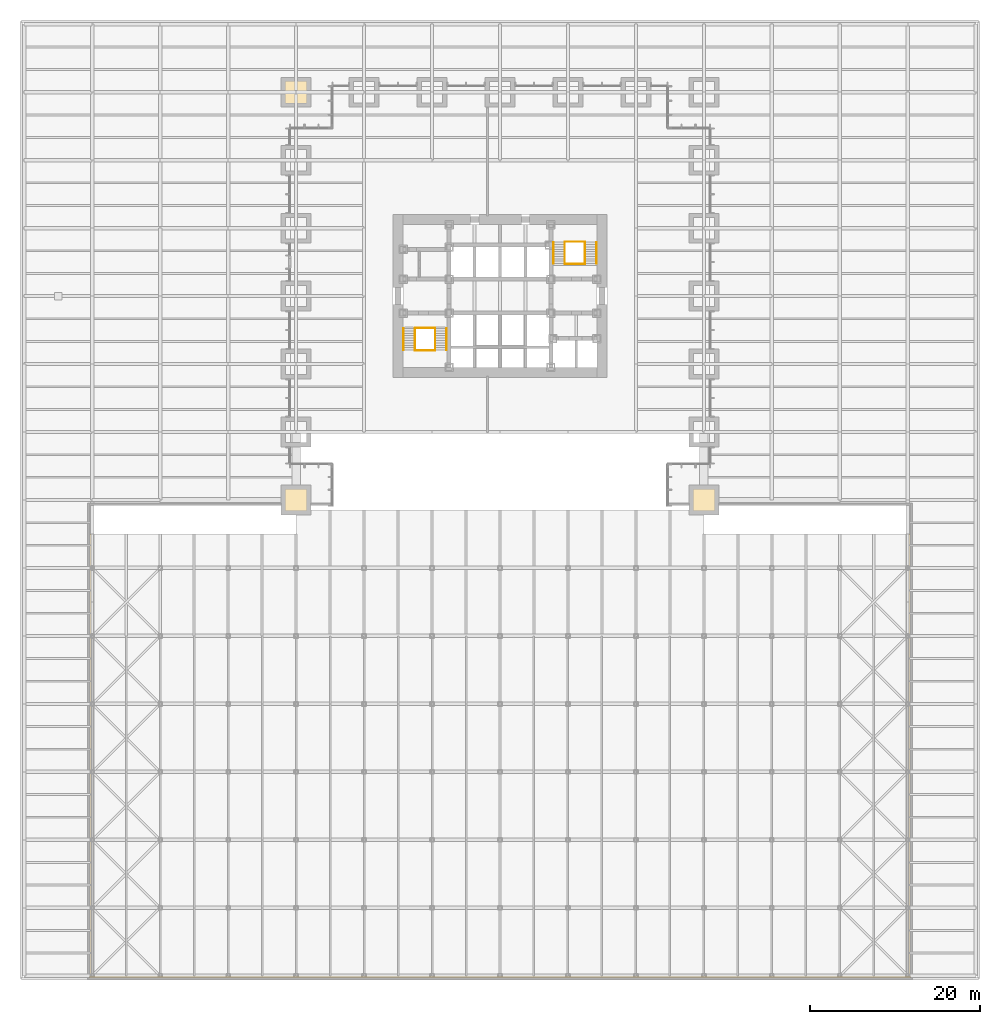
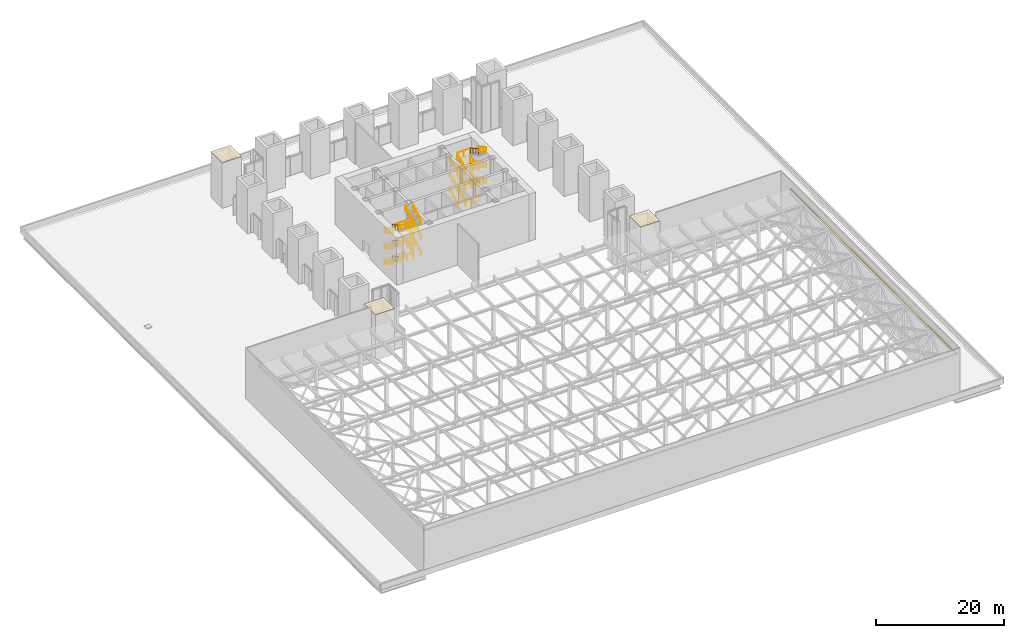
# One storey, part 19 of 20: 40 railings, 6 coverings.
"""IFC4 building model written with IfcOpenShell, lengths in metres."""

from ifc_helpers import new_model, si_unit, direction, frame, origin, origin_2d, place, context, subcontext, project, spatial, polyline, rectangle, circle, outline, extrude, material, layer, layer_set, type_object, element, save


model = new_model("IFC4")

# Units and contexts
model_context = context("Model", 3, precision=1e-05, world=origin(), true_north=direction((0.0, 1.0)))
body_context = subcontext(model_context, "Body", "Model", "MODEL_VIEW")
ifc_project = project(units=[si_unit("LENGTHUNIT", "METRE"), si_unit("AREAUNIT", "SQUARE_METRE"), si_unit("VOLUMEUNIT", "CUBIC_METRE"), si_unit("PLANEANGLEUNIT", "RADIAN"), si_unit("MASSUNIT", "GRAM", prefix="KILO")], contexts=[model_context])

# Site, building, storey
site_placement = place(None, origin())
site = spatial("IfcSite", under=ifc_project, at=site_placement, CompositionType="ELEMENT")
building_placement = place(site_placement, origin())
building = spatial("IfcBuilding", under=site, at=building_placement, Name="Daluyong Arena Tower", CompositionType="ELEMENT")
storey_placement = place(building_placement, frame((0.0, 0.0, 25.89990234375)))
storey = spatial("IfcBuildingStorey", under=building, at=storey_placement, Name="L05", CompositionType="ELEMENT", Elevation=25.89990234375)

# Coverings
ifc_material_1 = material(Name="Bronze aluminium roof edge flashing on treated timber", Category="wood")
ifc_layer_1 = layer(ifc_material_1, 0.14990234375)
ifc_layer_set_1 = layer_set([ifc_layer_1], Name="Bronze aluminium roof edge flashing on treated timber")
covering_type_1 = type_object("IfcCoveringType", Name="Arena roof edge flashing 150", PredefinedType="ROOFING", material=ifc_layer_set_1)
covering_1_placement = place(storey_placement, frame((56.0, -0.125, 8.3408203125), z_axis=(0.0, 0.0, 1.0), x_axis=(1.0, 0.0, 0.0)))
element("IfcCovering", 1, at=covering_1_placement, inside=storey, type_object=covering_type_1, Name="arena roof edge flashing S", PredefinedType="ROOFING", context=body_context, shape_type="SweptSolid", body=[
    extrude(rectangle(XDim=96.60009765625, YDim=0.25, at=origin_2d()), origin(), (0.0, 0.0, 1.0), 0.14990234375),
])
for number, where, z_axis, x_axis, name in (
    (2, (7.85009765625, 26.0, 8.3408203125), (0.0, 0.0, 1.0), (1.0, 0.0, 0.0), "arena roof edge flashing W"),
    (3, (104.14990234375, 26.0, 8.3408203125), (0.0, 0.0, 1.0), (1.0, 0.0, 0.0), "arena roof edge flashing E"),
):
    element("IfcCovering", number, at=place(storey_placement, frame(where, z_axis=z_axis, x_axis=x_axis)), inside=storey, type_object=covering_type_1, Name=name, PredefinedType="ROOFING", context=body_context, shape_type="SweptSolid", body=[
        extrude(rectangle(XDim=0.300048828125, YDim=52.0, at=origin_2d()), origin(), (0.0, 0.0, 1.0), 0.14990234375),
    ])
ifc_material_2 = material(Name="Steel ASTM A572 Grade 50", Category="steel")
ifc_layer_2 = layer(ifc_material_2, 0.080078125)
ifc_layer_set_2 = layer_set([ifc_layer_2], Name="Steel ASTM A572 Grade 50")
covering_type_2 = type_object("IfcCoveringType", Name="Megacolumn cap plate 80", PredefinedType="USERDEFINED", material=ifc_layer_set_2)
covering_2_placement = place(storey_placement, frame((0.0, 0.0, 8.7001953125)))
element("IfcCovering", 4, at=covering_2_placement, inside=storey, type_object=covering_type_2, Name="megacolumn cap plate 1", ObjectType="CAP PLATE", PredefinedType="USERDEFINED", context=body_context, shape_type="SweptSolid", body=[
    extrude(outline(polyline([(30.25, 54.25), (33.75, 54.25), (33.75, 57.75), (30.25, 57.75), (30.25, 54.25)])), origin(), (0.0, 0.0, 1.0), 0.079833984375),
])
covering_3_placement = place(storey_placement, frame((0.0, 0.0, 8.7001953125)))
element("IfcCovering", 5, at=covering_3_placement, inside=storey, type_object=covering_type_2, Name="megacolumn cap plate 2", ObjectType="CAP PLATE", PredefinedType="USERDEFINED", context=body_context, shape_type="SweptSolid", body=[
    extrude(outline(polyline([(30.25, 102.25), (33.75, 102.25), (33.75, 105.75), (30.25, 105.75), (30.25, 102.25)])), origin(), (0.0, 0.0, 1.0), 0.079833984375),
])
covering_4_placement = place(storey_placement, frame((0.0, 0.0, 8.7001953125)))
element("IfcCovering", 6, at=covering_4_placement, inside=storey, type_object=covering_type_2, Name="megacolumn cap plate 3", ObjectType="CAP PLATE", PredefinedType="USERDEFINED", context=body_context, shape_type="SweptSolid", body=[
    extrude(outline(polyline([(78.25, 54.25), (81.75, 54.25), (81.75, 57.75), (78.25, 57.75), (78.25, 54.25)])), origin(), (0.0, 0.0, 1.0), 0.079833984375),
])

# Railings
ifc_material_3 = material(Name="Stainless steel handrail", Category="steel")
railing_type_1 = type_object("IfcRailingType", Name="Stair handrail", PredefinedType="HANDRAIL", material=ifc_material_3)
railing_1_placement = place(storey_placement, frame((44.64990234375, 76.175048828125, 0.150146484375)))
element("IfcRailing", 7, at=railing_1_placement, inside=storey, type_object=railing_type_1, Name="exit stair A handrail L05", PredefinedType="HANDRAIL", context=body_context, shape_type="SweptSolid", body=[
    extrude(circle(Radius=0.02392578125, at=origin_2d()), frame((0.0, 0.0, 0.8759765625), z_axis=(0.0, -0.88150282143, 0.472178754087), x_axis=(1.0, 0.0, 0.0)), (0.0, 0.0, 1.0), 2.85888671875),
    extrude(circle(Radius=0.02099609375, at=origin_2d()), origin(), (0.0, 0.0, 1.0), 0.851806640625),
    extrude(circle(Radius=0.02099609375, at=origin_2d()), frame((0.0, -0.840087890625, 0.449951171875)), (0.0, 0.0, 1.0), 0.851806640625),
    extrude(circle(Radius=0.02099609375, at=origin_2d()), frame((0.0, -1.679931640625, 0.89990234375)), (0.0, 0.0, 1.0), 0.851806640625),
    extrude(circle(Radius=0.02099609375, at=origin_2d()), frame((0.0, -2.52001953125, 1.349853515625)), (0.0, 0.0, 1.0), 0.851806640625),
])
railing_2_placement = place(storey_placement, frame((49.72509765625, 73.655029296875, 1.650146484375)))
element("IfcRailing", 8, at=railing_2_placement, inside=storey, type_object=railing_type_1, Name="exit stair A handrail L05", PredefinedType="HANDRAIL", context=body_context, shape_type="SweptSolid", body=[
    extrude(circle(Radius=0.02392578125, at=origin_2d()), frame((0.0, 0.0, 0.8759765625), z_axis=(0.0, 0.88150282143, 0.472178754087), x_axis=(-1.0, 0.0, 0.0)), (0.0, 0.0, 1.0), 2.85888671875),
    extrude(circle(Radius=0.02099609375, at=origin_2d()), origin(), (0.0, 0.0, 1.0), 0.851806640625),
    extrude(circle(Radius=0.02099609375, at=origin_2d()), frame((0.0, 0.840087890625, 0.449951171875)), (0.0, 0.0, 1.0), 0.851806640625),
    extrude(circle(Radius=0.02099609375, at=origin_2d()), frame((0.0, 1.679931640625, 0.89990234375)), (0.0, 0.0, 1.0), 0.851806640625),
    extrude(circle(Radius=0.02099609375, at=origin_2d()), frame((0.0, 2.52001953125, 1.349853515625)), (0.0, 0.0, 1.0), 0.851806640625),
])
railing_3_placement = place(storey_placement, frame((44.64990234375, 76.175048828125, 3.150146484375)))
element("IfcRailing", 9, at=railing_3_placement, inside=storey, type_object=railing_type_1, Name="exit stair A handrail L05", PredefinedType="HANDRAIL", context=body_context, shape_type="SweptSolid", body=[
    extrude(circle(Radius=0.02392578125, at=origin_2d()), frame((0.0, 0.0, 0.8759765625), z_axis=(0.0, -0.88150282143, 0.472178754087), x_axis=(1.0, 0.0, 0.0)), (0.0, 0.0, 1.0), 2.85888671875),
    extrude(circle(Radius=0.02099609375, at=origin_2d()), origin(), (0.0, 0.0, 1.0), 0.851806640625),
    extrude(circle(Radius=0.02099609375, at=origin_2d()), frame((0.0, -0.840087890625, 0.449951171875)), (0.0, 0.0, 1.0), 0.851806640625),
    extrude(circle(Radius=0.02099609375, at=origin_2d()), frame((0.0, -1.679931640625, 0.89990234375)), (0.0, 0.0, 1.0), 0.851806640625),
    extrude(circle(Radius=0.02099609375, at=origin_2d()), frame((0.0, -2.52001953125, 1.349853515625)), (0.0, 0.0, 1.0), 0.851806640625),
])
railing_4_placement = place(storey_placement, frame((49.72509765625, 73.655029296875, 4.650146484375)))
element("IfcRailing", 10, at=railing_4_placement, inside=storey, type_object=railing_type_1, Name="exit stair A handrail L05", PredefinedType="HANDRAIL", context=body_context, shape_type="SweptSolid", body=[
    extrude(circle(Radius=0.02392578125, at=origin_2d()), frame((0.0, 0.0, 0.8759765625), z_axis=(0.0, 0.88150282143, 0.472178754087), x_axis=(-1.0, 0.0, 0.0)), (0.0, 0.0, 1.0), 2.85888671875),
    extrude(circle(Radius=0.02099609375, at=origin_2d()), origin(), (0.0, 0.0, 1.0), 0.851806640625),
    extrude(circle(Radius=0.02099609375, at=origin_2d()), frame((0.0, 0.840087890625, 0.449951171875)), (0.0, 0.0, 1.0), 0.851806640625),
    extrude(circle(Radius=0.02099609375, at=origin_2d()), frame((0.0, 1.679931640625, 0.89990234375)), (0.0, 0.0, 1.0), 0.851806640625),
    extrude(circle(Radius=0.02099609375, at=origin_2d()), frame((0.0, 2.52001953125, 1.349853515625)), (0.0, 0.0, 1.0), 0.851806640625),
])
railing_5_placement = place(storey_placement, frame((44.64990234375, 76.175048828125, 6.150146484375)))
element("IfcRailing", 11, at=railing_5_placement, inside=storey, type_object=railing_type_1, Name="exit stair A handrail L05", PredefinedType="HANDRAIL", context=body_context, shape_type="SweptSolid", body=[
    extrude(circle(Radius=0.02392578125, at=origin_2d()), frame((0.0, 0.0, 0.8759765625), z_axis=(0.0, -0.88150282143, 0.472178754087), x_axis=(1.0, 0.0, 0.0)), (0.0, 0.0, 1.0), 2.85888671875),
    extrude(circle(Radius=0.02099609375, at=origin_2d()), origin(), (0.0, 0.0, 1.0), 0.851806640625),
    extrude(circle(Radius=0.02099609375, at=origin_2d()), frame((0.0, -0.840087890625, 0.449951171875)), (0.0, 0.0, 1.0), 0.851806640625),
    extrude(circle(Radius=0.02099609375, at=origin_2d()), frame((0.0, -1.679931640625, 0.89990234375)), (0.0, 0.0, 1.0), 0.851806640625),
    extrude(circle(Radius=0.02099609375, at=origin_2d()), frame((0.0, -2.52001953125, 1.349853515625)), (0.0, 0.0, 1.0), 0.851806640625),
])
for number, where, name in (
    (12, (49.72509765625, 73.655029296875, 7.650146484375), "exit stair A handrail L05"),
    (13, (62.27490234375, 83.824951171875, 0.150146484375), "exit stair B handrail L05"),
):
    element("IfcRailing", number, at=place(storey_placement, frame(where)), inside=storey, type_object=railing_type_1, Name=name, PredefinedType="HANDRAIL", context=body_context, shape_type="SweptSolid", body=[
        extrude(circle(Radius=0.02392578125, at=origin_2d()), frame((0.0, 0.0, 0.8759765625), z_axis=(0.0, 0.88150282143, 0.472178754087), x_axis=(-1.0, 0.0, 0.0)), (0.0, 0.0, 1.0), 2.85888671875),
        extrude(circle(Radius=0.02099609375, at=origin_2d()), origin(), (0.0, 0.0, 1.0), 0.851806640625),
        extrude(circle(Radius=0.02099609375, at=origin_2d()), frame((0.0, 0.840087890625, 0.449951171875)), (0.0, 0.0, 1.0), 0.851806640625),
        extrude(circle(Radius=0.02099609375, at=origin_2d()), frame((0.0, 1.679931640625, 0.89990234375)), (0.0, 0.0, 1.0), 0.851806640625),
        extrude(circle(Radius=0.02099609375, at=origin_2d()), frame((0.0, 2.52001953125, 1.349853515625)), (0.0, 0.0, 1.0), 0.851806640625),
    ])
railing_6_placement = place(storey_placement, frame((67.35009765625, 86.344970703125, 1.650146484375)))
element("IfcRailing", 14, at=railing_6_placement, inside=storey, type_object=railing_type_1, Name="exit stair B handrail L05", PredefinedType="HANDRAIL", context=body_context, shape_type="SweptSolid", body=[
    extrude(circle(Radius=0.02392578125, at=origin_2d()), frame((0.0, 0.0, 0.8759765625), z_axis=(0.0, -0.88150282143, 0.472178754087), x_axis=(1.0, 0.0, 0.0)), (0.0, 0.0, 1.0), 2.85888671875),
    extrude(circle(Radius=0.02099609375, at=origin_2d()), origin(), (0.0, 0.0, 1.0), 0.851806640625),
    extrude(circle(Radius=0.02099609375, at=origin_2d()), frame((0.0, -0.840087890625, 0.449951171875)), (0.0, 0.0, 1.0), 0.851806640625),
    extrude(circle(Radius=0.02099609375, at=origin_2d()), frame((0.0, -1.679931640625, 0.89990234375)), (0.0, 0.0, 1.0), 0.851806640625),
    extrude(circle(Radius=0.02099609375, at=origin_2d()), frame((0.0, -2.52001953125, 1.349853515625)), (0.0, 0.0, 1.0), 0.851806640625),
])
railing_7_placement = place(storey_placement, frame((62.27490234375, 83.824951171875, 3.150146484375)))
element("IfcRailing", 15, at=railing_7_placement, inside=storey, type_object=railing_type_1, Name="exit stair B handrail L05", PredefinedType="HANDRAIL", context=body_context, shape_type="SweptSolid", body=[
    extrude(circle(Radius=0.02392578125, at=origin_2d()), frame((0.0, 0.0, 0.8759765625), z_axis=(0.0, 0.88150282143, 0.472178754087), x_axis=(-1.0, 0.0, 0.0)), (0.0, 0.0, 1.0), 2.85888671875),
    extrude(circle(Radius=0.02099609375, at=origin_2d()), origin(), (0.0, 0.0, 1.0), 0.851806640625),
    extrude(circle(Radius=0.02099609375, at=origin_2d()), frame((0.0, 0.840087890625, 0.449951171875)), (0.0, 0.0, 1.0), 0.851806640625),
    extrude(circle(Radius=0.02099609375, at=origin_2d()), frame((0.0, 1.679931640625, 0.89990234375)), (0.0, 0.0, 1.0), 0.851806640625),
    extrude(circle(Radius=0.02099609375, at=origin_2d()), frame((0.0, 2.52001953125, 1.349853515625)), (0.0, 0.0, 1.0), 0.851806640625),
])
railing_8_placement = place(storey_placement, frame((67.35009765625, 86.344970703125, 4.650146484375)))
element("IfcRailing", 16, at=railing_8_placement, inside=storey, type_object=railing_type_1, Name="exit stair B handrail L05", PredefinedType="HANDRAIL", context=body_context, shape_type="SweptSolid", body=[
    extrude(circle(Radius=0.02392578125, at=origin_2d()), frame((0.0, 0.0, 0.8759765625), z_axis=(0.0, -0.88150282143, 0.472178754087), x_axis=(1.0, 0.0, 0.0)), (0.0, 0.0, 1.0), 2.85888671875),
    extrude(circle(Radius=0.02099609375, at=origin_2d()), origin(), (0.0, 0.0, 1.0), 0.851806640625),
    extrude(circle(Radius=0.02099609375, at=origin_2d()), frame((0.0, -0.840087890625, 0.449951171875)), (0.0, 0.0, 1.0), 0.851806640625),
    extrude(circle(Radius=0.02099609375, at=origin_2d()), frame((0.0, -1.679931640625, 0.89990234375)), (0.0, 0.0, 1.0), 0.851806640625),
    extrude(circle(Radius=0.02099609375, at=origin_2d()), frame((0.0, -2.52001953125, 1.349853515625)), (0.0, 0.0, 1.0), 0.851806640625),
])
railing_9_placement = place(storey_placement, frame((62.27490234375, 83.824951171875, 6.150146484375)))
element("IfcRailing", 17, at=railing_9_placement, inside=storey, type_object=railing_type_1, Name="exit stair B handrail L05", PredefinedType="HANDRAIL", context=body_context, shape_type="SweptSolid", body=[
    extrude(circle(Radius=0.02392578125, at=origin_2d()), frame((0.0, 0.0, 0.8759765625), z_axis=(0.0, 0.88150282143, 0.472178754087), x_axis=(-1.0, 0.0, 0.0)), (0.0, 0.0, 1.0), 2.85888671875),
    extrude(circle(Radius=0.02099609375, at=origin_2d()), origin(), (0.0, 0.0, 1.0), 0.851806640625),
    extrude(circle(Radius=0.02099609375, at=origin_2d()), frame((0.0, 0.840087890625, 0.449951171875)), (0.0, 0.0, 1.0), 0.851806640625),
    extrude(circle(Radius=0.02099609375, at=origin_2d()), frame((0.0, 1.679931640625, 0.89990234375)), (0.0, 0.0, 1.0), 0.851806640625),
    extrude(circle(Radius=0.02099609375, at=origin_2d()), frame((0.0, 2.52001953125, 1.349853515625)), (0.0, 0.0, 1.0), 0.851806640625),
])
railing_10_placement = place(storey_placement, frame((67.35009765625, 86.344970703125, 7.650146484375)))
element("IfcRailing", 18, at=railing_10_placement, inside=storey, type_object=railing_type_1, Name="exit stair B handrail L05", PredefinedType="HANDRAIL", context=body_context, shape_type="SweptSolid", body=[
    extrude(circle(Radius=0.02392578125, at=origin_2d()), frame((0.0, 0.0, 0.8759765625), z_axis=(0.0, -0.88150282143, 0.472178754087), x_axis=(1.0, 0.0, 0.0)), (0.0, 0.0, 1.0), 2.85888671875),
    extrude(circle(Radius=0.02099609375, at=origin_2d()), origin(), (0.0, 0.0, 1.0), 0.851806640625),
    extrude(circle(Radius=0.02099609375, at=origin_2d()), frame((0.0, -0.840087890625, 0.449951171875)), (0.0, 0.0, 1.0), 0.851806640625),
    extrude(circle(Radius=0.02099609375, at=origin_2d()), frame((0.0, -1.679931640625, 0.89990234375)), (0.0, 0.0, 1.0), 0.851806640625),
    extrude(circle(Radius=0.02099609375, at=origin_2d()), frame((0.0, -2.52001953125, 1.349853515625)), (0.0, 0.0, 1.0), 0.851806640625),
])
ifc_material_4 = material(Name="Steel balustrade", Category="steel")
railing_type_2 = type_object("IfcRailingType", Name="Stair well guard 1100", PredefinedType="GUARDRAIL", material=ifc_material_4)
railing_11_placement = place(storey_placement, frame((46.0, 76.175048828125, 0.150146484375)))
element("IfcRailing", 19, at=railing_11_placement, inside=storey, type_object=railing_type_2, Name="exit stair A well guard L05", PredefinedType="GUARDRAIL", context=body_context, shape_type="SweptSolid", body=[
    extrude(circle(Radius=0.02392578125, at=origin_2d()), frame((0.0, 0.0, 1.076171875), z_axis=(0.0, -0.88150282143, 0.472178754087), x_axis=(1.0, 0.0, 0.0)), (0.0, 0.0, 1.0), 2.85888671875),
    extrude(circle(Radius=0.02099609375, at=origin_2d()), origin(), (0.0, 0.0, 1.0), 1.052001953125),
    extrude(circle(Radius=0.02099609375, at=origin_2d()), frame((0.0, -0.840087890625, 0.449951171875)), (0.0, 0.0, 1.0), 1.052001953125),
    extrude(circle(Radius=0.02099609375, at=origin_2d()), frame((0.0, -1.679931640625, 0.89990234375)), (0.0, 0.0, 1.0), 1.052001953125),
    extrude(circle(Radius=0.02099609375, at=origin_2d()), frame((0.0, -2.52001953125, 1.349853515625)), (0.0, 0.0, 1.0), 1.052001953125),
])
railing_12_placement = place(storey_placement, frame((48.375, 73.655029296875, 1.650146484375)))
element("IfcRailing", 20, at=railing_12_placement, inside=storey, type_object=railing_type_2, Name="exit stair A well guard L05", PredefinedType="GUARDRAIL", context=body_context, shape_type="SweptSolid", body=[
    extrude(circle(Radius=0.02392578125, at=origin_2d()), frame((0.0, 0.0, 1.076171875), z_axis=(0.0, 0.88150282143, 0.472178754087), x_axis=(-1.0, 0.0, 0.0)), (0.0, 0.0, 1.0), 2.85888671875),
    extrude(circle(Radius=0.02099609375, at=origin_2d()), origin(), (0.0, 0.0, 1.0), 1.052001953125),
    extrude(circle(Radius=0.02099609375, at=origin_2d()), frame((0.0, 0.840087890625, 0.449951171875)), (0.0, 0.0, 1.0), 1.052001953125),
    extrude(circle(Radius=0.02099609375, at=origin_2d()), frame((0.0, 1.679931640625, 0.89990234375)), (0.0, 0.0, 1.0), 1.052001953125),
    extrude(circle(Radius=0.02099609375, at=origin_2d()), frame((0.0, 2.52001953125, 1.349853515625)), (0.0, 0.0, 1.0), 1.052001953125),
])
railing_13_placement = place(storey_placement, frame((46.0, 76.175048828125, 3.150146484375)))
element("IfcRailing", 21, at=railing_13_placement, inside=storey, type_object=railing_type_2, Name="exit stair A well guard L05", PredefinedType="GUARDRAIL", context=body_context, shape_type="SweptSolid", body=[
    extrude(circle(Radius=0.02392578125, at=origin_2d()), frame((0.0, 0.0, 1.076171875), z_axis=(0.0, -0.88150282143, 0.472178754087), x_axis=(1.0, 0.0, 0.0)), (0.0, 0.0, 1.0), 2.85888671875),
    extrude(circle(Radius=0.02099609375, at=origin_2d()), origin(), (0.0, 0.0, 1.0), 1.052001953125),
    extrude(circle(Radius=0.02099609375, at=origin_2d()), frame((0.0, -0.840087890625, 0.449951171875)), (0.0, 0.0, 1.0), 1.052001953125),
    extrude(circle(Radius=0.02099609375, at=origin_2d()), frame((0.0, -1.679931640625, 0.89990234375)), (0.0, 0.0, 1.0), 1.052001953125),
    extrude(circle(Radius=0.02099609375, at=origin_2d()), frame((0.0, -2.52001953125, 1.349853515625)), (0.0, 0.0, 1.0), 1.052001953125),
])
railing_14_placement = place(storey_placement, frame((48.375, 73.655029296875, 4.650146484375)))
element("IfcRailing", 22, at=railing_14_placement, inside=storey, type_object=railing_type_2, Name="exit stair A well guard L05", PredefinedType="GUARDRAIL", context=body_context, shape_type="SweptSolid", body=[
    extrude(circle(Radius=0.02392578125, at=origin_2d()), frame((0.0, 0.0, 1.076171875), z_axis=(0.0, 0.88150282143, 0.472178754087), x_axis=(-1.0, 0.0, 0.0)), (0.0, 0.0, 1.0), 2.85888671875),
    extrude(circle(Radius=0.02099609375, at=origin_2d()), origin(), (0.0, 0.0, 1.0), 1.052001953125),
    extrude(circle(Radius=0.02099609375, at=origin_2d()), frame((0.0, 0.840087890625, 0.449951171875)), (0.0, 0.0, 1.0), 1.052001953125),
    extrude(circle(Radius=0.02099609375, at=origin_2d()), frame((0.0, 1.679931640625, 0.89990234375)), (0.0, 0.0, 1.0), 1.052001953125),
    extrude(circle(Radius=0.02099609375, at=origin_2d()), frame((0.0, 2.52001953125, 1.349853515625)), (0.0, 0.0, 1.0), 1.052001953125),
])
railing_15_placement = place(storey_placement, frame((46.0, 76.175048828125, 6.150146484375)))
element("IfcRailing", 23, at=railing_15_placement, inside=storey, type_object=railing_type_2, Name="exit stair A well guard L05", PredefinedType="GUARDRAIL", context=body_context, shape_type="SweptSolid", body=[
    extrude(circle(Radius=0.02392578125, at=origin_2d()), frame((0.0, 0.0, 1.076171875), z_axis=(0.0, -0.88150282143, 0.472178754087), x_axis=(1.0, 0.0, 0.0)), (0.0, 0.0, 1.0), 2.85888671875),
    extrude(circle(Radius=0.02099609375, at=origin_2d()), origin(), (0.0, 0.0, 1.0), 1.052001953125),
    extrude(circle(Radius=0.02099609375, at=origin_2d()), frame((0.0, -0.840087890625, 0.449951171875)), (0.0, 0.0, 1.0), 1.052001953125),
    extrude(circle(Radius=0.02099609375, at=origin_2d()), frame((0.0, -1.679931640625, 0.89990234375)), (0.0, 0.0, 1.0), 1.052001953125),
    extrude(circle(Radius=0.02099609375, at=origin_2d()), frame((0.0, -2.52001953125, 1.349853515625)), (0.0, 0.0, 1.0), 1.052001953125),
])
railing_16_placement = place(storey_placement, frame((48.375, 73.655029296875, 7.650146484375)))
element("IfcRailing", 24, at=railing_16_placement, inside=storey, type_object=railing_type_2, Name="exit stair A well guard L05", PredefinedType="GUARDRAIL", context=body_context, shape_type="SweptSolid", body=[
    extrude(circle(Radius=0.02392578125, at=origin_2d()), frame((0.0, 0.0, 1.076171875), z_axis=(0.0, 0.88150282143, 0.472178754087), x_axis=(-1.0, 0.0, 0.0)), (0.0, 0.0, 1.0), 2.85888671875),
    extrude(circle(Radius=0.02099609375, at=origin_2d()), origin(), (0.0, 0.0, 1.0), 1.052001953125),
    extrude(circle(Radius=0.02099609375, at=origin_2d()), frame((0.0, 0.840087890625, 0.449951171875)), (0.0, 0.0, 1.0), 1.052001953125),
    extrude(circle(Radius=0.02099609375, at=origin_2d()), frame((0.0, 1.679931640625, 0.89990234375)), (0.0, 0.0, 1.0), 1.052001953125),
    extrude(circle(Radius=0.02099609375, at=origin_2d()), frame((0.0, 2.52001953125, 1.349853515625)), (0.0, 0.0, 1.0), 1.052001953125),
])
for number, where, name in (
    (25, (46.0, 73.60498046875, 1.5), "exit stair A landing guard L05"),
    (26, (46.0, 76.22509765625, 3.0), "exit stair A landing guard L05"),
    (27, (46.0, 73.60498046875, 4.5), "exit stair A landing guard L05"),
    (28, (46.0, 76.22509765625, 6.0), "exit stair A landing guard L05"),
    (29, (46.0, 73.60498046875, 7.5), "exit stair A landing guard L05"),
):
    element("IfcRailing", number, at=place(storey_placement, frame(where)), inside=storey, type_object=railing_type_2, Name=name, PredefinedType="GUARDRAIL", context=body_context, shape_type="SweptSolid", body=[
        extrude(circle(Radius=0.02392578125, at=origin_2d()), frame((0.0, 0.0, 1.076171875), z_axis=(1.0, 0.0, 0.0), x_axis=(0.0, 1.0, 0.0)), (0.0, 0.0, 1.0), 2.375),
        extrude(circle(Radius=0.02099609375, at=origin_2d()), origin(), (0.0, 0.0, 1.0), 1.052001953125),
        extrude(circle(Radius=0.02099609375, at=origin_2d()), frame((1.1875, 0.0, 0.0)), (0.0, 0.0, 1.0), 1.052001953125),
        extrude(circle(Radius=0.02099609375, at=origin_2d()), frame((2.375, 0.0, 0.0)), (0.0, 0.0, 1.0), 1.052001953125),
    ])
for number, where, name in (
    (30, (48.375, 73.60498046875, 3.0), "exit stair A landing guard L05"),
    (31, (48.375, 73.60498046875, 6.0), "exit stair A landing guard L05"),
):
    element("IfcRailing", number, at=place(storey_placement, frame(where)), inside=storey, type_object=railing_type_2, Name=name, PredefinedType="GUARDRAIL", context=body_context, shape_type="SweptSolid", body=[
        extrude(circle(Radius=0.02392578125, at=origin_2d()), frame((0.0, 0.0, 1.076171875), z_axis=(0.0, 1.0, 0.0), x_axis=(-1.0, 0.0, 0.0)), (0.0, 0.0, 1.0), 2.570068359375),
        extrude(circle(Radius=0.02099609375, at=origin_2d()), origin(), (0.0, 0.0, 1.0), 1.052001953125),
        extrude(circle(Radius=0.02099609375, at=origin_2d()), frame((0.0, 0.856689453125, 0.0)), (0.0, 0.0, 1.0), 1.052001953125),
        extrude(circle(Radius=0.02099609375, at=origin_2d()), frame((0.0, 1.71337890625, 0.0)), (0.0, 0.0, 1.0), 1.052001953125),
        extrude(circle(Radius=0.02099609375, at=origin_2d()), frame((0.0, 2.570068359375, 0.0)), (0.0, 0.0, 1.0), 1.052001953125),
    ])
railing_17_placement = place(storey_placement, frame((46.0, 76.22509765625, 0.0)))
element("IfcRailing", 32, at=railing_17_placement, inside=storey, type_object=railing_type_2, Name="exit stair A floor landing guard L05", PredefinedType="GUARDRAIL", context=body_context, shape_type="SweptSolid", body=[
    extrude(circle(Radius=0.02392578125, at=origin_2d()), frame((0.0, 0.0, 1.076171875), z_axis=(1.0, 0.0, 0.0), x_axis=(0.0, 1.0, 0.0)), (0.0, 0.0, 1.0), 2.375),
    extrude(circle(Radius=0.02099609375, at=origin_2d()), origin(), (0.0, 0.0, 1.0), 1.052001953125),
    extrude(circle(Radius=0.02099609375, at=origin_2d()), frame((1.1875, 0.0, 0.0)), (0.0, 0.0, 1.0), 1.052001953125),
    extrude(circle(Radius=0.02099609375, at=origin_2d()), frame((2.375, 0.0, 0.0)), (0.0, 0.0, 1.0), 1.052001953125),
])
railing_18_placement = place(storey_placement, frame((63.625, 83.824951171875, 0.150146484375)))
element("IfcRailing", 33, at=railing_18_placement, inside=storey, type_object=railing_type_2, Name="exit stair B well guard L05", PredefinedType="GUARDRAIL", context=body_context, shape_type="SweptSolid", body=[
    extrude(circle(Radius=0.02392578125, at=origin_2d()), frame((0.0, 0.0, 1.076171875), z_axis=(0.0, 0.88150282143, 0.472178754087), x_axis=(-1.0, 0.0, 0.0)), (0.0, 0.0, 1.0), 2.85888671875),
    extrude(circle(Radius=0.02099609375, at=origin_2d()), origin(), (0.0, 0.0, 1.0), 1.052001953125),
    extrude(circle(Radius=0.02099609375, at=origin_2d()), frame((0.0, 0.840087890625, 0.449951171875)), (0.0, 0.0, 1.0), 1.052001953125),
    extrude(circle(Radius=0.02099609375, at=origin_2d()), frame((0.0, 1.679931640625, 0.89990234375)), (0.0, 0.0, 1.0), 1.052001953125),
    extrude(circle(Radius=0.02099609375, at=origin_2d()), frame((0.0, 2.52001953125, 1.349853515625)), (0.0, 0.0, 1.0), 1.052001953125),
])
railing_19_placement = place(storey_placement, frame((66.0, 86.344970703125, 1.650146484375)))
element("IfcRailing", 34, at=railing_19_placement, inside=storey, type_object=railing_type_2, Name="exit stair B well guard L05", PredefinedType="GUARDRAIL", context=body_context, shape_type="SweptSolid", body=[
    extrude(circle(Radius=0.02392578125, at=origin_2d()), frame((0.0, 0.0, 1.076171875), z_axis=(0.0, -0.88150282143, 0.472178754087), x_axis=(1.0, 0.0, 0.0)), (0.0, 0.0, 1.0), 2.85888671875),
    extrude(circle(Radius=0.02099609375, at=origin_2d()), origin(), (0.0, 0.0, 1.0), 1.052001953125),
    extrude(circle(Radius=0.02099609375, at=origin_2d()), frame((0.0, -0.840087890625, 0.449951171875)), (0.0, 0.0, 1.0), 1.052001953125),
    extrude(circle(Radius=0.02099609375, at=origin_2d()), frame((0.0, -1.679931640625, 0.89990234375)), (0.0, 0.0, 1.0), 1.052001953125),
    extrude(circle(Radius=0.02099609375, at=origin_2d()), frame((0.0, -2.52001953125, 1.349853515625)), (0.0, 0.0, 1.0), 1.052001953125),
])
railing_20_placement = place(storey_placement, frame((63.625, 83.824951171875, 3.150146484375)))
element("IfcRailing", 35, at=railing_20_placement, inside=storey, type_object=railing_type_2, Name="exit stair B well guard L05", PredefinedType="GUARDRAIL", context=body_context, shape_type="SweptSolid", body=[
    extrude(circle(Radius=0.02392578125, at=origin_2d()), frame((0.0, 0.0, 1.076171875), z_axis=(0.0, 0.88150282143, 0.472178754087), x_axis=(-1.0, 0.0, 0.0)), (0.0, 0.0, 1.0), 2.85888671875),
    extrude(circle(Radius=0.02099609375, at=origin_2d()), origin(), (0.0, 0.0, 1.0), 1.052001953125),
    extrude(circle(Radius=0.02099609375, at=origin_2d()), frame((0.0, 0.840087890625, 0.449951171875)), (0.0, 0.0, 1.0), 1.052001953125),
    extrude(circle(Radius=0.02099609375, at=origin_2d()), frame((0.0, 1.679931640625, 0.89990234375)), (0.0, 0.0, 1.0), 1.052001953125),
    extrude(circle(Radius=0.02099609375, at=origin_2d()), frame((0.0, 2.52001953125, 1.349853515625)), (0.0, 0.0, 1.0), 1.052001953125),
])
railing_21_placement = place(storey_placement, frame((66.0, 86.344970703125, 4.650146484375)))
element("IfcRailing", 36, at=railing_21_placement, inside=storey, type_object=railing_type_2, Name="exit stair B well guard L05", PredefinedType="GUARDRAIL", context=body_context, shape_type="SweptSolid", body=[
    extrude(circle(Radius=0.02392578125, at=origin_2d()), frame((0.0, 0.0, 1.076171875), z_axis=(0.0, -0.88150282143, 0.472178754087), x_axis=(1.0, 0.0, 0.0)), (0.0, 0.0, 1.0), 2.85888671875),
    extrude(circle(Radius=0.02099609375, at=origin_2d()), origin(), (0.0, 0.0, 1.0), 1.052001953125),
    extrude(circle(Radius=0.02099609375, at=origin_2d()), frame((0.0, -0.840087890625, 0.449951171875)), (0.0, 0.0, 1.0), 1.052001953125),
    extrude(circle(Radius=0.02099609375, at=origin_2d()), frame((0.0, -1.679931640625, 0.89990234375)), (0.0, 0.0, 1.0), 1.052001953125),
    extrude(circle(Radius=0.02099609375, at=origin_2d()), frame((0.0, -2.52001953125, 1.349853515625)), (0.0, 0.0, 1.0), 1.052001953125),
])
railing_22_placement = place(storey_placement, frame((63.625, 83.824951171875, 6.150146484375)))
element("IfcRailing", 37, at=railing_22_placement, inside=storey, type_object=railing_type_2, Name="exit stair B well guard L05", PredefinedType="GUARDRAIL", context=body_context, shape_type="SweptSolid", body=[
    extrude(circle(Radius=0.02392578125, at=origin_2d()), frame((0.0, 0.0, 1.076171875), z_axis=(0.0, 0.88150282143, 0.472178754087), x_axis=(-1.0, 0.0, 0.0)), (0.0, 0.0, 1.0), 2.85888671875),
    extrude(circle(Radius=0.02099609375, at=origin_2d()), origin(), (0.0, 0.0, 1.0), 1.052001953125),
    extrude(circle(Radius=0.02099609375, at=origin_2d()), frame((0.0, 0.840087890625, 0.449951171875)), (0.0, 0.0, 1.0), 1.052001953125),
    extrude(circle(Radius=0.02099609375, at=origin_2d()), frame((0.0, 1.679931640625, 0.89990234375)), (0.0, 0.0, 1.0), 1.052001953125),
    extrude(circle(Radius=0.02099609375, at=origin_2d()), frame((0.0, 2.52001953125, 1.349853515625)), (0.0, 0.0, 1.0), 1.052001953125),
])
railing_23_placement = place(storey_placement, frame((66.0, 86.344970703125, 7.650146484375)))
element("IfcRailing", 38, at=railing_23_placement, inside=storey, type_object=railing_type_2, Name="exit stair B well guard L05", PredefinedType="GUARDRAIL", context=body_context, shape_type="SweptSolid", body=[
    extrude(circle(Radius=0.02392578125, at=origin_2d()), frame((0.0, 0.0, 1.076171875), z_axis=(0.0, -0.88150282143, 0.472178754087), x_axis=(1.0, 0.0, 0.0)), (0.0, 0.0, 1.0), 2.85888671875),
    extrude(circle(Radius=0.02099609375, at=origin_2d()), origin(), (0.0, 0.0, 1.0), 1.052001953125),
    extrude(circle(Radius=0.02099609375, at=origin_2d()), frame((0.0, -0.840087890625, 0.449951171875)), (0.0, 0.0, 1.0), 1.052001953125),
    extrude(circle(Radius=0.02099609375, at=origin_2d()), frame((0.0, -1.679931640625, 0.89990234375)), (0.0, 0.0, 1.0), 1.052001953125),
    extrude(circle(Radius=0.02099609375, at=origin_2d()), frame((0.0, -2.52001953125, 1.349853515625)), (0.0, 0.0, 1.0), 1.052001953125),
])
for number, where, name in (
    (39, (63.625, 86.39501953125, 1.5), "exit stair B landing guard L05"),
    (40, (63.625, 83.77490234375, 3.0), "exit stair B landing guard L05"),
    (41, (63.625, 86.39501953125, 4.5), "exit stair B landing guard L05"),
    (42, (63.625, 83.77490234375, 6.0), "exit stair B landing guard L05"),
    (43, (63.625, 86.39501953125, 7.5), "exit stair B landing guard L05"),
):
    element("IfcRailing", number, at=place(storey_placement, frame(where)), inside=storey, type_object=railing_type_2, Name=name, PredefinedType="GUARDRAIL", context=body_context, shape_type="SweptSolid", body=[
        extrude(circle(Radius=0.02392578125, at=origin_2d()), frame((0.0, 0.0, 1.076171875), z_axis=(1.0, 0.0, 0.0), x_axis=(0.0, 1.0, 0.0)), (0.0, 0.0, 1.0), 2.375),
        extrude(circle(Radius=0.02099609375, at=origin_2d()), origin(), (0.0, 0.0, 1.0), 1.052001953125),
        extrude(circle(Radius=0.02099609375, at=origin_2d()), frame((1.1875, 0.0, 0.0)), (0.0, 0.0, 1.0), 1.052001953125),
        extrude(circle(Radius=0.02099609375, at=origin_2d()), frame((2.375, 0.0, 0.0)), (0.0, 0.0, 1.0), 1.052001953125),
    ])
for number, where, name in (
    (44, (66.0, 86.39501953125, 3.0), "exit stair B landing guard L05"),
    (45, (66.0, 86.39501953125, 6.0), "exit stair B landing guard L05"),
):
    element("IfcRailing", number, at=place(storey_placement, frame(where)), inside=storey, type_object=railing_type_2, Name=name, PredefinedType="GUARDRAIL", context=body_context, shape_type="SweptSolid", body=[
        extrude(circle(Radius=0.02392578125, at=origin_2d()), frame((0.0, 0.0, 1.076171875), z_axis=(0.0, -1.0, 0.0), x_axis=(1.0, 0.0, 0.0)), (0.0, 0.0, 1.0), 2.570068359375),
        extrude(circle(Radius=0.02099609375, at=origin_2d()), origin(), (0.0, 0.0, 1.0), 1.052001953125),
        extrude(circle(Radius=0.02099609375, at=origin_2d()), frame((0.0, -0.856689453125, 0.0)), (0.0, 0.0, 1.0), 1.052001953125),
        extrude(circle(Radius=0.02099609375, at=origin_2d()), frame((0.0, -1.71337890625, 0.0)), (0.0, 0.0, 1.0), 1.052001953125),
        extrude(circle(Radius=0.02099609375, at=origin_2d()), frame((0.0, -2.570068359375, 0.0)), (0.0, 0.0, 1.0), 1.052001953125),
    ])
railing_24_placement = place(storey_placement, frame((63.625, 83.77490234375, 0.0)))
element("IfcRailing", 46, at=railing_24_placement, inside=storey, type_object=railing_type_2, Name="exit stair B floor landing guard L05", PredefinedType="GUARDRAIL", context=body_context, shape_type="SweptSolid", body=[
    extrude(circle(Radius=0.02392578125, at=origin_2d()), frame((0.0, 0.0, 1.076171875), z_axis=(1.0, 0.0, 0.0), x_axis=(0.0, 1.0, 0.0)), (0.0, 0.0, 1.0), 2.375),
    extrude(circle(Radius=0.02099609375, at=origin_2d()), origin(), (0.0, 0.0, 1.0), 1.052001953125),
    extrude(circle(Radius=0.02099609375, at=origin_2d()), frame((1.1875, 0.0, 0.0)), (0.0, 0.0, 1.0), 1.052001953125),
    extrude(circle(Radius=0.02099609375, at=origin_2d()), frame((2.375, 0.0, 0.0)), (0.0, 0.0, 1.0), 1.052001953125),
])

save(model, "model.ifc")
